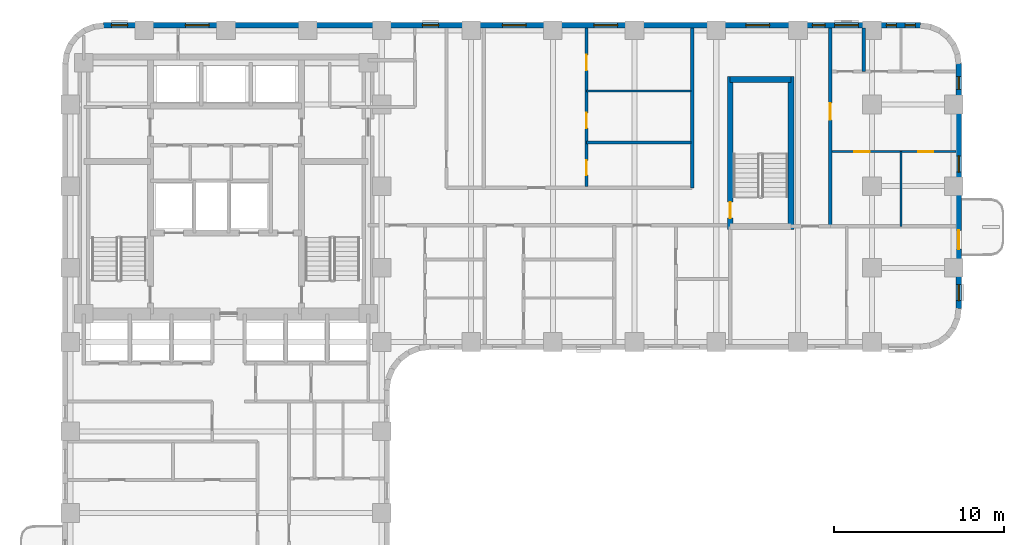
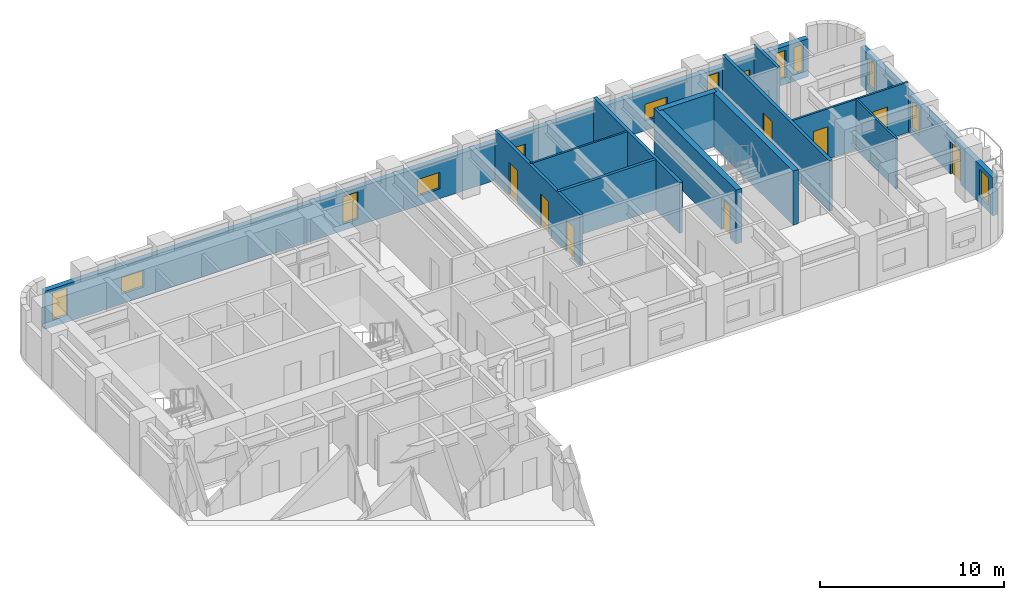
# One storey, part 7 of 11: 13 walls, 13 windows, 8 doors, 21 openings.
"""IFC4 building model written with IfcOpenShell, lengths in metres."""

from ifc_helpers import new_model, si_unit, direction, frame, frame_2d, origin, place, context, subcontext, project, spatial, rectangle, extrude, material, layer, layer_set, type_object, element, fill, save


model = new_model("IFC4")

# Units and contexts
model_context = context("Model", 3, precision=1e-05, world=origin(), true_north=direction((0.0, 1.0)))
body_context = subcontext(model_context, "Body", "Model", "MODEL_VIEW")
ifc_project = project(units=[si_unit("LENGTHUNIT", "METRE"), si_unit("AREAUNIT", "SQUARE_METRE"), si_unit("VOLUMEUNIT", "CUBIC_METRE"), si_unit("PLANEANGLEUNIT", "RADIAN"), si_unit("MASSUNIT", "GRAM", prefix="KILO")], contexts=[model_context])

# Site, building, storey
site_placement = place(None, origin())
site = spatial("IfcSite", under=ifc_project, at=site_placement, CompositionType="ELEMENT")
building_placement = place(site_placement, origin())
building = spatial("IfcBuilding", under=site, at=building_placement, Name="Orvandelia Arch Residences", CompositionType="ELEMENT")
storey_placement = place(building_placement, frame((0.0, 0.0, 50.199951171875)))
storey = spatial("IfcBuildingStorey", under=building, at=storey_placement, Name="L12", CompositionType="ELEMENT", Elevation=50.199951171875)

# Wall, opening, door
ifc_material_1 = material(Name="Concrete C50/60", Category="concrete")
ifc_layer_1 = layer(ifc_material_1, 0.35009765625, Name="Concrete C50/60", Category="concrete")
ifc_layer_set_1 = layer_set([ifc_layer_1], Name="Concrete C50/60")
wall_type_1 = type_object("IfcWallType", Name="WL-CORE-350", PredefinedType="SHEAR", material=ifc_layer_set_1)
wall_1_placement = place(storey_placement, frame((44.02001953125, 35.864990234375, 0.0), z_axis=(0.0, 0.0, 1.0), x_axis=(0.0, 1.0, 0.0)))
wall_1 = element("IfcWall", 1, at=wall_1_placement, inside=storey, type_object=wall_type_1, Name="East Stair Core Shear Wall L12-W", PredefinedType="SHEAR", context=body_context, shape_type="SweptSolid", body=[
    extrude(rectangle(XDim=8.969970703125, YDim=0.35009765625, at=frame_2d((4.48486328125, 0.0))), origin(), (0.0, 0.0, 1.0), 3.60009765625),
])
opening_1_placement = place(wall_1_placement, frame((0.64990234375, 0.0, 0.0)))
opening_1 = element("IfcOpeningElement", 2, at=opening_1_placement, cuts=wall_1, Name="Opening D7", PredefinedType="OPENING", context=body_context, shape_type="SweptSolid", body=[
    extrude(rectangle(XDim=0.949951171875, YDim=2.10009765625, at=frame_2d((0.47509765625, 1.050048828125))), frame((0.0, 0.18505859375, 0.0), z_axis=(0.0, -1.0, 0.0), x_axis=(1.0, 0.0, 0.0)), (0.0, 0.0, 1.0), 0.3701171875),
])
ifc_material_2 = material(Name="Pressurised Stairwell Fire Door")
door_type_1 = type_object("IfcDoorType", Name="DR-STAIR-950", OperationType="NOTDEFINED", PredefinedType="DOOR", material=ifc_material_2)
door_1_placement = place(opening_1_placement, origin())
door_1 = element("IfcDoor", 3, at=door_1_placement, inside=storey, type_object=door_type_1, Name="East Stairwell ST-3 Fire Door L12", OperationType="SINGLE_SWING_LEFT", OverallHeight=2.10009765625, OverallWidth=0.949951171875, PredefinedType="DOOR", context=body_context, shape_type="SweptSolid", body=[
    extrude(rectangle(XDim=0.949951171875, YDim=2.10009765625, at=frame_2d((0.47509765625, 1.050048828125))), frame((0.0, 0.02490234375, 0.0), z_axis=(0.0, -1.0, 0.0), x_axis=(1.0, 0.0, 0.0)), (0.0, 0.0, 1.0), 0.050048828125),
])
fill(opening_1, door_1)

# Walls
wall_2_placement = place(storey_placement, frame((47.60009765625, 35.864990234375, 0.0), z_axis=(0.0, 0.0, 1.0), x_axis=(0.0, 1.0, 0.0)))
element("IfcWall", 4, at=wall_2_placement, inside=storey, type_object=wall_type_1, Name="East Stair Core Shear Wall L12-E", PredefinedType="SHEAR", context=body_context, shape_type="SweptSolid", body=[
    extrude(rectangle(XDim=8.969970703125, YDim=0.35009765625, at=frame_2d((4.48486328125, 0.0))), origin(), (0.0, 0.0, 1.0), 3.60009765625),
])
wall_3_placement = place(storey_placement, frame((44.02001953125, 44.659912109375, 0.0), z_axis=(0.0, 0.0, 1.0), x_axis=(1.0, 0.0, 0.0)))
element("IfcWall", 5, at=wall_3_placement, inside=storey, type_object=wall_type_1, Name="East Stair Core Shear Wall L12-N", PredefinedType="SHEAR", context=body_context, shape_type="SweptSolid", body=[
    extrude(rectangle(XDim=3.580078125, YDim=0.35009765625, at=frame_2d((1.7900390625, 0.0))), origin(), (0.0, 0.0, 1.0), 3.60009765625),
])
ifc_material_3 = material(Name="Fire-Rated Corridor Partition")
ifc_layer_2 = layer(ifc_material_3, 0.199951171875, Name="Fire-Rated Corridor Partition")
ifc_layer_set_2 = layer_set([ifc_layer_2], Name="Fire-Rated Corridor Partition")
wall_type_2 = type_object("IfcWallType", Name="WL-CORR-200", PredefinedType="PARTITIONING", material=ifc_layer_set_2)
wall_4_placement = place(storey_placement, frame((41.780029296875, 38.300048828125, 0.0), z_axis=(0.0, 0.0, 1.0), x_axis=(0.0, 1.0, 0.0)))
element("IfcWall", 6, at=wall_4_placement, inside=storey, type_object=wall_type_2, Name="Interior Partition Wall WL-L12-ETV-W", PredefinedType="PARTITIONING", context=body_context, shape_type="SweptSolid", body=[
    extrude(rectangle(XDim=9.3798828125, YDim=0.199951171875, at=frame_2d((4.68994140625, 0.0))), origin(), (0.0, 0.0, 1.0), 3.35009765625),
])

# Wall, opening, door
wall_5_placement = place(storey_placement, frame((49.89990234375, 36.0400390625, 0.0), z_axis=(0.0, 0.0, 1.0), x_axis=(0.0, 1.0, 0.0)))
wall_5 = element("IfcWall", 7, at=wall_5_placement, inside=storey, type_object=wall_type_2, Name="Interior Partition Wall WL-L12-ETE-E", PredefinedType="PARTITIONING", context=body_context, shape_type="SweptSolid", body=[
    extrude(rectangle(XDim=11.639892578125, YDim=0.199951171875, at=frame_2d((5.81982421875, 0.0))), origin(), (0.0, 0.0, 1.0), 3.35009765625),
])
opening_2_placement = place(wall_5_placement, frame((6.25146484375, 0.0, 0.0)))
opening_2 = element("IfcOpeningElement", 8, at=opening_2_placement, cuts=wall_5, Name="Opening D1", PredefinedType="OPENING", context=body_context, shape_type="SweptSolid", body=[
    extrude(rectangle(XDim=0.97998046875, YDim=2.179931640625, at=frame_2d((0.489990234375, 1.08984375))), frame((0.0, 0.10986328125, 0.0), z_axis=(0.0, -1.0, 0.0), x_axis=(1.0, 0.0, 0.0)), (0.0, 0.0, 1.0), 0.219970703125),
])
ifc_material_4 = material(Name="Solid-Core Timber Acoustic Fire Door", Category="wood")
door_type_2 = type_object("IfcDoorType", Name="DR-ENT-980", OperationType="NOTDEFINED", PredefinedType="DOOR", material=ifc_material_4)
door_2_placement = place(opening_2_placement, origin())
door_2 = element("IfcDoor", 9, at=door_2_placement, inside=storey, type_object=door_type_2, Name="Unit L12-10 Entrance Door", OperationType="SINGLE_SWING_RIGHT", OverallHeight=2.179931640625, OverallWidth=0.97998046875, PredefinedType="DOOR", context=body_context, shape_type="SweptSolid", body=[
    extrude(rectangle(XDim=0.97998046875, YDim=2.179931640625, at=frame_2d((0.489990234375, 1.08984375))), frame((0.0, 0.02490234375, 0.0), z_axis=(0.0, -1.0, 0.0), x_axis=(1.0, 0.0, 0.0)), (0.0, 0.0, 1.0), 0.050048828125),
])
fill(opening_2, door_2)

# Wall, openings, windows
ifc_material_5 = material(Name="Precast concrete C40/50", Category="concrete")
ifc_layer_3 = layer(ifc_material_5, 0.320068359375, Name="Precast concrete C40/50", Category="concrete")
ifc_layer_set_3 = layer_set([ifc_layer_3], Name="Precast concrete C40/50")
wall_type_3 = type_object("IfcWallType", Name="WL-EXT-STONE-320", PredefinedType="STANDARD", material=ifc_layer_set_3)
wall_6_placement = place(storey_placement, frame((7.199951171875, 47.840087890625, 0.0), z_axis=(0.0, 0.0, 1.0), x_axis=(1.0, 0.0, 0.0)))
wall_6 = element("IfcWall", 10, at=wall_6_placement, inside=storey, type_object=wall_type_3, Name="Coral-Limestone Precast Facade Wall L12-007", PredefinedType="STANDARD", context=body_context, shape_type="SweptSolid", body=[
    extrude(rectangle(XDim=48.0, YDim=0.320068359375, at=frame_2d((24.0, 0.0))), origin(), (0.0, 0.0, 1.0), 2.530029296875),
])
opening_3_placement = place(wall_6_placement, frame((28.803466796875, 0.0, 0.64990234375)))
opening_3 = element("IfcOpeningElement", 11, at=opening_3_placement, cuts=wall_6, Name="Opening W10", PredefinedType="OPENING", context=body_context, shape_type="SweptSolid", body=[
    extrude(rectangle(XDim=1.39990234375, YDim=1.10009765625, at=frame_2d((0.699951171875, 0.550048828125))), frame((0.0, 0.169921875, 0.0), z_axis=(0.0, -1.0, 0.0), x_axis=(1.0, 0.0, 0.0)), (0.0, 0.0, 1.0), 0.340087890625),
])
opening_4_placement = place(wall_6_placement, frame((47.093994140625, 0.0, 0.449951171875)))
opening_4 = element("IfcOpeningElement", 12, at=opening_4_placement, cuts=wall_6, Name="Opening W12", PredefinedType="OPENING", context=body_context, shape_type="SweptSolid", body=[
    extrude(rectangle(XDim=0.60009765625, YDim=1.800048828125, at=frame_2d((0.300048828125, 0.89990234375))), frame((0.0, 0.169921875, 0.0), z_axis=(0.0, -1.0, 0.0), x_axis=(1.0, 0.0, 0.0)), (0.0, 0.0, 1.0), 0.340087890625),
])
opening_5_placement = place(wall_6_placement, frame((18.739990234375, 0.0, 0.449951171875)))
opening_5 = element("IfcOpeningElement", 13, at=opening_5_placement, cuts=wall_6, Name="Opening W4", PredefinedType="OPENING", context=body_context, shape_type="SweptSolid", body=[
    extrude(rectangle(XDim=0.949951171875, YDim=1.800048828125, at=frame_2d((0.47509765625, 0.89990234375))), frame((0.0, 0.169921875, 0.0), z_axis=(0.0, -1.0, 0.0), x_axis=(1.0, 0.0, 0.0)), (0.0, 0.0, 1.0), 0.340087890625),
])
opening_6_placement = place(wall_6_placement, frame((41.64990234375, 0.0, 0.449951171875)))
opening_6 = element("IfcOpeningElement", 14, at=opening_6_placement, cuts=wall_6, Name="Opening W11", PredefinedType="OPENING", context=body_context, shape_type="SweptSolid", body=[
    extrude(rectangle(XDim=0.75, YDim=1.800048828125, at=frame_2d((0.375, 0.89990234375))), frame((0.0, 0.169921875, 0.0), z_axis=(0.0, -1.0, 0.0), x_axis=(1.0, 0.0, 0.0)), (0.0, 0.0, 1.0), 0.340087890625),
])
opening_7_placement = place(wall_6_placement, frame((37.736083984375, 0.0, 0.64990234375)))
opening_7 = element("IfcOpeningElement", 15, at=opening_7_placement, cuts=wall_6, Name="Opening W10", PredefinedType="OPENING", context=body_context, shape_type="SweptSolid", body=[
    extrude(rectangle(XDim=1.39990234375, YDim=1.10009765625, at=frame_2d((0.699951171875, 0.550048828125))), frame((0.0, 0.169921875, 0.0), z_axis=(0.0, -1.0, 0.0), x_axis=(1.0, 0.0, 0.0)), (0.0, 0.0, 1.0), 0.340087890625),
])
opening_8_placement = place(wall_6_placement, frame((0.469970703125, 0.0, 0.449951171875)))
opening_8 = element("IfcOpeningElement", 16, at=opening_8_placement, cuts=wall_6, Name="Opening W4", PredefinedType="OPENING", context=body_context, shape_type="SweptSolid", body=[
    extrude(rectangle(XDim=0.949951171875, YDim=1.800048828125, at=frame_2d((0.47509765625, 0.89990234375))), frame((0.0, 0.169921875, 0.0), z_axis=(0.0, -1.0, 0.0), x_axis=(1.0, 0.0, 0.0)), (0.0, 0.0, 1.0), 0.340087890625),
])
opening_9_placement = place(wall_6_placement, frame((4.81494140625, 0.0, 0.64990234375)))
opening_9 = element("IfcOpeningElement", 17, at=opening_9_placement, cuts=wall_6, Name="Opening W10", PredefinedType="OPENING", context=body_context, shape_type="SweptSolid", body=[
    extrude(rectangle(XDim=1.39990234375, YDim=1.10009765625, at=frame_2d((0.699951171875, 0.550048828125))), frame((0.0, 0.169921875, 0.0), z_axis=(0.0, -1.0, 0.0), x_axis=(1.0, 0.0, 0.0)), (0.0, 0.0, 1.0), 0.340087890625),
])
opening_10_placement = place(wall_6_placement, frame((23.429931640625, 0.0, 0.64990234375)))
opening_10 = element("IfcOpeningElement", 18, at=opening_10_placement, cuts=wall_6, Name="Opening W10", PredefinedType="OPENING", context=body_context, shape_type="SweptSolid", body=[
    extrude(rectangle(XDim=1.39990234375, YDim=1.10009765625, at=frame_2d((0.699951171875, 0.550048828125))), frame((0.0, 0.169921875, 0.0), z_axis=(0.0, -1.0, 0.0), x_axis=(1.0, 0.0, 0.0)), (0.0, 0.0, 1.0), 0.340087890625),
])
opening_11_placement = place(wall_6_placement, frame((42.949951171875, 0.0, 0.64990234375)))
opening_11 = element("IfcOpeningElement", 19, at=opening_11_placement, cuts=wall_6, Name="Opening W10", PredefinedType="OPENING", context=body_context, shape_type="SweptSolid", body=[
    extrude(rectangle(XDim=1.39990234375, YDim=1.10009765625, at=frame_2d((0.699951171875, 0.550048828125))), frame((0.0, 0.169921875, 0.0), z_axis=(0.0, -1.0, 0.0), x_axis=(1.0, 0.0, 0.0)), (0.0, 0.0, 1.0), 0.340087890625),
])
opening_12_placement = place(wall_6_placement, frame((45.98388671875, 0.0, 0.449951171875)))
opening_12 = element("IfcOpeningElement", 20, at=opening_12_placement, cuts=wall_6, Name="Opening W12", PredefinedType="OPENING", context=body_context, shape_type="SweptSolid", body=[
    extrude(rectangle(XDim=0.60009765625, YDim=1.800048828125, at=frame_2d((0.300048828125, 0.89990234375))), frame((0.0, 0.169921875, 0.0), z_axis=(0.0, -1.0, 0.0), x_axis=(1.0, 0.0, 0.0)), (0.0, 0.0, 1.0), 0.340087890625),
])
ifc_material_6 = material(Name="Tempered Low-E Insulated Glazing", Category="glass")
window_type_1 = type_object("IfcWindowType", Name="WIN-BED-0750x1800", PartitioningType="SINGLE_PANEL", PredefinedType="WINDOW", material=ifc_material_6)
window_1_placement = place(opening_6_placement, origin())
window_1 = element("IfcWindow", 21, at=window_1_placement, inside=storey, type_object=window_type_1, Name="Recessed Punched Window L12-004", OverallHeight=1.800048828125, OverallWidth=0.75, PartitioningType="SINGLE_PANEL", PredefinedType="WINDOW", context=body_context, shape_type="SweptSolid", body=[
    extrude(rectangle(XDim=0.75, YDim=1.800048828125, at=frame_2d((0.375, 0.89990234375))), frame((0.0, 0.030029296875, 0.0), z_axis=(0.0, -1.0, 0.0), x_axis=(1.0, 0.0, 0.0)), (0.0, 0.0, 1.0), 0.06005859375),
])
fill(opening_6, window_1)
window_type_2 = type_object("IfcWindowType", Name="WIN-CLR-1400x1100", PartitioningType="SINGLE_PANEL", PredefinedType="WINDOW", material=ifc_material_6)
window_2_placement = place(opening_3_placement, origin())
window_2 = element("IfcWindow", 22, at=window_2_placement, inside=storey, type_object=window_type_2, Name="Recessed Punched Window L12-001", OverallHeight=1.10009765625, OverallWidth=1.39990234375, PartitioningType="SINGLE_PANEL", PredefinedType="WINDOW", context=body_context, shape_type="SweptSolid", body=[
    extrude(rectangle(XDim=1.39990234375, YDim=1.10009765625, at=frame_2d((0.699951171875, 0.550048828125))), frame((0.0, 0.030029296875, 0.0), z_axis=(0.0, -1.0, 0.0), x_axis=(1.0, 0.0, 0.0)), (0.0, 0.0, 1.0), 0.06005859375),
])
fill(opening_3, window_2)
window_3_placement = place(opening_7_placement, origin())
window_3 = element("IfcWindow", 23, at=window_3_placement, inside=storey, type_object=window_type_2, Name="Recessed Punched Window L12-005", OverallHeight=1.10009765625, OverallWidth=1.39990234375, PartitioningType="SINGLE_PANEL", PredefinedType="WINDOW", context=body_context, shape_type="SweptSolid", body=[
    extrude(rectangle(XDim=1.39990234375, YDim=1.10009765625, at=frame_2d((0.699951171875, 0.550048828125))), frame((0.0, 0.030029296875, 0.0), z_axis=(0.0, -1.0, 0.0), x_axis=(1.0, 0.0, 0.0)), (0.0, 0.0, 1.0), 0.06005859375),
])
fill(opening_7, window_3)
window_4_placement = place(opening_9_placement, origin())
window_4 = element("IfcWindow", 24, at=window_4_placement, inside=storey, type_object=window_type_2, Name="Recessed Punched Window L12-007", OverallHeight=1.10009765625, OverallWidth=1.39990234375, PartitioningType="SINGLE_PANEL", PredefinedType="WINDOW", context=body_context, shape_type="SweptSolid", body=[
    extrude(rectangle(XDim=1.39990234375, YDim=1.10009765625, at=frame_2d((0.699951171875, 0.550048828125))), frame((0.0, 0.030029296875, 0.0), z_axis=(0.0, -1.0, 0.0), x_axis=(1.0, 0.0, 0.0)), (0.0, 0.0, 1.0), 0.06005859375),
])
fill(opening_9, window_4)
window_5_placement = place(opening_10_placement, origin())
window_5 = element("IfcWindow", 25, at=window_5_placement, inside=storey, type_object=window_type_2, Name="Recessed Punched Window L12-008", OverallHeight=1.10009765625, OverallWidth=1.39990234375, PartitioningType="SINGLE_PANEL", PredefinedType="WINDOW", context=body_context, shape_type="SweptSolid", body=[
    extrude(rectangle(XDim=1.39990234375, YDim=1.10009765625, at=frame_2d((0.699951171875, 0.550048828125))), frame((0.0, 0.030029296875, 0.0), z_axis=(0.0, -1.0, 0.0), x_axis=(1.0, 0.0, 0.0)), (0.0, 0.0, 1.0), 0.06005859375),
])
fill(opening_10, window_5)
window_6_placement = place(opening_11_placement, origin())
window_6 = element("IfcWindow", 26, at=window_6_placement, inside=storey, type_object=window_type_2, Name="Recessed Punched Window L12-009", OverallHeight=1.10009765625, OverallWidth=1.39990234375, PartitioningType="SINGLE_PANEL", PredefinedType="WINDOW", context=body_context, shape_type="SweptSolid", body=[
    extrude(rectangle(XDim=1.39990234375, YDim=1.10009765625, at=frame_2d((0.699951171875, 0.550048828125))), frame((0.0, 0.030029296875, 0.0), z_axis=(0.0, -1.0, 0.0), x_axis=(1.0, 0.0, 0.0)), (0.0, 0.0, 1.0), 0.06005859375),
])
fill(opening_11, window_6)
window_type_3 = type_object("IfcWindowType", Name="WIN-LAN-0600x1800", PartitioningType="SINGLE_PANEL", PredefinedType="WINDOW", material=ifc_material_6)
window_7_placement = place(opening_4_placement, origin())
window_7 = element("IfcWindow", 27, at=window_7_placement, inside=storey, type_object=window_type_3, Name="Recessed Punched Window L12-002", OverallHeight=1.800048828125, OverallWidth=0.60009765625, PartitioningType="SINGLE_PANEL", PredefinedType="WINDOW", context=body_context, shape_type="SweptSolid", body=[
    extrude(rectangle(XDim=0.60009765625, YDim=1.800048828125, at=frame_2d((0.300048828125, 0.89990234375))), frame((0.0, 0.030029296875, 0.0), z_axis=(0.0, -1.0, 0.0), x_axis=(1.0, 0.0, 0.0)), (0.0, 0.0, 1.0), 0.06005859375),
])
fill(opening_4, window_7)
window_8_placement = place(opening_12_placement, origin())
window_8 = element("IfcWindow", 28, at=window_8_placement, inside=storey, type_object=window_type_3, Name="Recessed Punched Window L12-010", OverallHeight=1.800048828125, OverallWidth=0.60009765625, PartitioningType="SINGLE_PANEL", PredefinedType="WINDOW", context=body_context, shape_type="SweptSolid", body=[
    extrude(rectangle(XDim=0.60009765625, YDim=1.800048828125, at=frame_2d((0.300048828125, 0.89990234375))), frame((0.0, 0.030029296875, 0.0), z_axis=(0.0, -1.0, 0.0), x_axis=(1.0, 0.0, 0.0)), (0.0, 0.0, 1.0), 0.06005859375),
])
fill(opening_12, window_8)
window_type_4 = type_object("IfcWindowType", Name="WIN-RES-0950x1800", PartitioningType="SINGLE_PANEL", PredefinedType="WINDOW", material=ifc_material_6)
window_9_placement = place(opening_5_placement, origin())
window_9 = element("IfcWindow", 29, at=window_9_placement, inside=storey, type_object=window_type_4, Name="Recessed Punched Window L12-003", OverallHeight=1.800048828125, OverallWidth=0.949951171875, PartitioningType="SINGLE_PANEL", PredefinedType="WINDOW", context=body_context, shape_type="SweptSolid", body=[
    extrude(rectangle(XDim=0.949951171875, YDim=1.800048828125, at=frame_2d((0.47509765625, 0.89990234375))), frame((0.0, 0.030029296875, 0.0), z_axis=(0.0, -1.0, 0.0), x_axis=(1.0, 0.0, 0.0)), (0.0, 0.0, 1.0), 0.06005859375),
])
fill(opening_5, window_9)
window_10_placement = place(opening_8_placement, origin())
window_10 = element("IfcWindow", 30, at=window_10_placement, inside=storey, type_object=window_type_4, Name="Recessed Punched Window L12-006", OverallHeight=1.800048828125, OverallWidth=0.949951171875, PartitioningType="SINGLE_PANEL", PredefinedType="WINDOW", context=body_context, shape_type="SweptSolid", body=[
    extrude(rectangle(XDim=0.949951171875, YDim=1.800048828125, at=frame_2d((0.47509765625, 0.89990234375))), frame((0.0, 0.030029296875, 0.0), z_axis=(0.0, -1.0, 0.0), x_axis=(1.0, 0.0, 0.0)), (0.0, 0.0, 1.0), 0.06005859375),
])
fill(opening_8, window_10)

# Wall, openings, door, windows
wall_7_placement = place(storey_placement, frame((57.43994140625, 45.60009765625, 0.0), z_axis=(0.0, 0.0, 1.0), x_axis=(0.0, -1.0, 0.0)))
wall_7 = element("IfcWall", 31, at=wall_7_placement, inside=storey, type_object=wall_type_3, Name="Coral-Limestone Precast Facade Wall L12-014", PredefinedType="STANDARD", context=body_context, shape_type="SweptSolid", body=[
    extrude(rectangle(XDim=14.400146484375, YDim=0.320068359375, at=frame_2d((7.2001953125, 0.0))), origin(), (0.0, 0.0, 1.0), 2.530029296875),
])
opening_13_placement = place(wall_7_placement, frame((9.800048828125, 0.0, 0.0)))
opening_13 = element("IfcOpeningElement", 32, at=opening_13_placement, cuts=wall_7, Name="Opening BD1", PredefinedType="OPENING", context=body_context, shape_type="SweptSolid", body=[
    extrude(rectangle(XDim=1.10009765625, YDim=2.14990234375, at=frame_2d((0.550048828125, 1.074951171875))), frame((0.0, 0.169921875, 0.0), z_axis=(0.0, -1.0, 0.0), x_axis=(1.0, 0.0, 0.0)), (0.0, 0.0, 1.0), 0.340087890625),
])
opening_14_placement = place(wall_7_placement, frame((5.427978515625, 0.0, 0.449951171875)))
opening_14 = element("IfcOpeningElement", 33, at=opening_14_placement, cuts=wall_7, Name="Opening W4", PredefinedType="OPENING", context=body_context, shape_type="SweptSolid", body=[
    extrude(rectangle(XDim=0.949951171875, YDim=1.800048828125, at=frame_2d((0.47509765625, 0.89990234375))), frame((0.0, 0.169921875, 0.0), z_axis=(0.0, -1.0, 0.0), x_axis=(1.0, 0.0, 0.0)), (0.0, 0.0, 1.0), 0.340087890625),
])
opening_15_placement = place(wall_7_placement, frame((12.97998046875, 0.0, 0.449951171875)))
opening_15 = element("IfcOpeningElement", 34, at=opening_15_placement, cuts=wall_7, Name="Opening W4", PredefinedType="OPENING", context=body_context, shape_type="SweptSolid", body=[
    extrude(rectangle(XDim=0.949951171875, YDim=1.800048828125, at=frame_2d((0.47509765625, 0.89990234375))), frame((0.0, 0.169921875, 0.0), z_axis=(0.0, -1.0, 0.0), x_axis=(1.0, 0.0, 0.0)), (0.0, 0.0, 1.0), 0.340087890625),
])
opening_16_placement = place(wall_7_placement, frame((0.7705078125, 0.0, 0.449951171875)))
opening_16 = element("IfcOpeningElement", 35, at=opening_16_placement, cuts=wall_7, Name="Opening W11", PredefinedType="OPENING", context=body_context, shape_type="SweptSolid", body=[
    extrude(rectangle(XDim=0.75, YDim=1.800048828125, at=frame_2d((0.375, 0.89990234375))), frame((0.0, 0.169921875, 0.0), z_axis=(0.0, -1.0, 0.0), x_axis=(1.0, 0.0, 0.0)), (0.0, 0.0, 1.0), 0.340087890625),
])
ifc_material_7 = material(Name="Thermally Broken Aluminium Glazed Door", Category="aluminium")
door_type_3 = type_object("IfcDoorType", Name="DR-BAL-GLAZ-1100", OperationType="NOTDEFINED", PredefinedType="DOOR", material=ifc_material_7)
door_3_placement = place(opening_13_placement, origin())
door_3 = element("IfcDoor", 36, at=door_3_placement, inside=storey, type_object=door_type_3, Name="Tree Balcony Glazed Door BAL-L12-E1", OperationType="SINGLE_SWING_LEFT", OverallHeight=2.14990234375, OverallWidth=1.10009765625, PredefinedType="DOOR", context=body_context, shape_type="SweptSolid", body=[
    extrude(rectangle(XDim=1.10009765625, YDim=2.14990234375, at=frame_2d((0.550048828125, 1.074951171875))), frame((0.0, 0.02490234375, 0.0), z_axis=(0.0, -1.0, 0.0), x_axis=(1.0, 0.0, 0.0)), (0.0, 0.0, 1.0), 0.050048828125),
])
fill(opening_13, door_3)
window_11_placement = place(opening_16_placement, origin())
window_11 = element("IfcWindow", 37, at=window_11_placement, inside=storey, type_object=window_type_1, Name="Recessed Punched Window L12-013", OverallHeight=1.800048828125, OverallWidth=0.75, PartitioningType="SINGLE_PANEL", PredefinedType="WINDOW", context=body_context, shape_type="SweptSolid", body=[
    extrude(rectangle(XDim=0.75, YDim=1.800048828125, at=frame_2d((0.375, 0.89990234375))), frame((0.0, 0.030029296875, 0.0), z_axis=(0.0, -1.0, 0.0), x_axis=(1.0, 0.0, 0.0)), (0.0, 0.0, 1.0), 0.06005859375),
])
fill(opening_16, window_11)
window_12_placement = place(opening_14_placement, origin())
window_12 = element("IfcWindow", 38, at=window_12_placement, inside=storey, type_object=window_type_4, Name="Recessed Punched Window L12-011", OverallHeight=1.800048828125, OverallWidth=0.949951171875, PartitioningType="SINGLE_PANEL", PredefinedType="WINDOW", context=body_context, shape_type="SweptSolid", body=[
    extrude(rectangle(XDim=0.949951171875, YDim=1.800048828125, at=frame_2d((0.47509765625, 0.89990234375))), frame((0.0, 0.030029296875, 0.0), z_axis=(0.0, -1.0, 0.0), x_axis=(1.0, 0.0, 0.0)), (0.0, 0.0, 1.0), 0.06005859375),
])
fill(opening_14, window_12)
window_13_placement = place(opening_15_placement, origin())
window_13 = element("IfcWindow", 39, at=window_13_placement, inside=storey, type_object=window_type_4, Name="Recessed Punched Window L12-012", OverallHeight=1.800048828125, OverallWidth=0.949951171875, PartitioningType="SINGLE_PANEL", PredefinedType="WINDOW", context=body_context, shape_type="SweptSolid", body=[
    extrude(rectangle(XDim=0.949951171875, YDim=1.800048828125, at=frame_2d((0.47509765625, 0.89990234375))), frame((0.0, 0.030029296875, 0.0), z_axis=(0.0, -1.0, 0.0), x_axis=(1.0, 0.0, 0.0)), (0.0, 0.0, 1.0), 0.06005859375),
])
fill(opening_15, window_13)

# Wall
ifc_material_8 = material(Name="Lightweight Gypsum Stud Partition")
ifc_layer_4 = layer(ifc_material_8, 0.1201171875, Name="Lightweight Gypsum Stud Partition")
ifc_layer_set_4 = layer_set([ifc_layer_4], Name="Lightweight Gypsum Stud Partition")
wall_type_4 = type_object("IfcWallType", Name="WL-PART-120", PredefinedType="PARTITIONING", material=ifc_layer_set_4)
wall_8_placement = place(storey_placement, frame((35.576904296875, 43.99609375, 0.0), z_axis=(0.0, 0.0, 1.0), x_axis=(1.0, 0.0, 0.0)))
element("IfcWall", 40, at=wall_8_placement, inside=storey, type_object=wall_type_4, Name="Interior Partition Wall WL-L12-U09-H2", PredefinedType="PARTITIONING", context=body_context, shape_type="SweptSolid", body=[
    extrude(rectangle(XDim=6.123046875, YDim=0.1201171875, at=frame_2d((3.0615234375, 0.0))), origin(), (0.0, 0.0, 1.0), 3.35009765625),
])

# Wall, openings, doors
wall_9_placement = place(storey_placement, frame((50.0, 40.424072265625, 0.0), z_axis=(0.0, 0.0, 1.0), x_axis=(1.0, 0.0, 0.0)))
wall_9 = element("IfcWall", 41, at=wall_9_placement, inside=storey, type_object=wall_type_4, Name="Interior Partition Wall WL-L12-U10-HB", PredefinedType="PARTITIONING", context=body_context, shape_type="SweptSolid", body=[
    extrude(rectangle(XDim=7.280029296875, YDim=0.1201171875, at=frame_2d((3.64013671875, 0.0))), origin(), (0.0, 0.0, 1.0), 3.35009765625),
])
opening_17_placement = place(wall_9_placement, frame((1.30419921875, 0.0, 0.0)))
opening_17 = element("IfcOpeningElement", 42, at=opening_17_placement, cuts=wall_9, Name="Opening D3", PredefinedType="OPENING", context=body_context, shape_type="SweptSolid", body=[
    extrude(rectangle(XDim=0.89990234375, YDim=2.14990234375, at=frame_2d((0.449951171875, 1.074951171875))), frame((0.0, 0.070068359375, 0.0), z_axis=(0.0, -1.0, 0.0), x_axis=(1.0, 0.0, 0.0)), (0.0, 0.0, 1.0), 0.14013671875),
])
opening_18_placement = place(wall_9_placement, frame((5.056884765625, 0.0, 0.0)))
opening_18 = element("IfcOpeningElement", 43, at=opening_18_placement, cuts=wall_9, Name="Opening D3", PredefinedType="OPENING", context=body_context, shape_type="SweptSolid", body=[
    extrude(rectangle(XDim=0.89990234375, YDim=2.14990234375, at=frame_2d((0.449951171875, 1.074951171875))), frame((0.0, 0.070068359375, 0.0), z_axis=(0.0, -1.0, 0.0), x_axis=(1.0, 0.0, 0.0)), (0.0, 0.0, 1.0), 0.14013671875),
])
ifc_material_9 = material(Name="Engineered Timber Flush Door", Category="wood")
door_type_4 = type_object("IfcDoorType", Name="DR-INT-900", OperationType="NOTDEFINED", PredefinedType="DOOR", material=ifc_material_9)
door_4_placement = place(opening_17_placement, origin())
door_4 = element("IfcDoor", 44, at=door_4_placement, inside=storey, type_object=door_type_4, Name="DR-L12-U10-STDY", OperationType="SINGLE_SWING_RIGHT", OverallHeight=2.14990234375, OverallWidth=0.89990234375, PredefinedType="DOOR", context=body_context, shape_type="SweptSolid", body=[
    extrude(rectangle(XDim=0.89990234375, YDim=2.14990234375, at=frame_2d((0.449951171875, 1.074951171875))), frame((0.0, 0.02490234375, 0.0), z_axis=(0.0, -1.0, 0.0), x_axis=(1.0, 0.0, 0.0)), (0.0, 0.0, 1.0), 0.050048828125),
])
fill(opening_17, door_4)
door_5_placement = place(opening_18_placement, origin())
door_5 = element("IfcDoor", 45, at=door_5_placement, inside=storey, type_object=door_type_4, Name="DR-L12-U10-BD2", OperationType="SINGLE_SWING_LEFT", OverallHeight=2.14990234375, OverallWidth=0.89990234375, PredefinedType="DOOR", context=body_context, shape_type="SweptSolid", body=[
    extrude(rectangle(XDim=0.89990234375, YDim=2.14990234375, at=frame_2d((0.449951171875, 1.074951171875))), frame((0.0, 0.02490234375, 0.0), z_axis=(0.0, -1.0, 0.0), x_axis=(1.0, 0.0, 0.0)), (0.0, 0.0, 1.0), 0.050048828125),
])
fill(opening_18, door_5)

# Wall
wall_10_placement = place(storey_placement, frame((54.048095703125, 36.0400390625, 0.0), z_axis=(0.0, 0.0, 1.0), x_axis=(0.0, 1.0, 0.0)))
element("IfcWall", 46, at=wall_10_placement, inside=storey, type_object=wall_type_4, Name="Interior Partition Wall WL-L12-U10-VB", PredefinedType="PARTITIONING", context=body_context, shape_type="SweptSolid", body=[
    extrude(rectangle(XDim=4.384033203125, YDim=0.1201171875, at=frame_2d((2.19189453125, 0.0))), origin(), (0.0, 0.0, 1.0), 3.35009765625),
])

# Wall, openings, doors
ifc_material_10 = material(Name="Moisture-Resistant Plumbing Wall")
ifc_layer_5 = layer(ifc_material_10, 0.179931640625, Name="Moisture-Resistant Plumbing Wall")
ifc_layer_set_5 = layer_set([ifc_layer_5], Name="Moisture-Resistant Plumbing Wall")
wall_type_5 = type_object("IfcWallType", Name="WL-WET-180", PredefinedType="PLUMBINGWALL", material=ifc_layer_set_5)
wall_11_placement = place(storey_placement, frame((35.576904296875, 38.3798828125, 0.0), z_axis=(0.0, 0.0, 1.0), x_axis=(0.0, 1.0, 0.0)))
wall_11 = element("IfcWall", 47, at=wall_11_placement, inside=storey, type_object=wall_type_5, Name="Interior Partition Wall WL-L12-U09-VT", PredefinedType="PLUMBINGWALL", context=body_context, shape_type="SweptSolid", body=[
    extrude(rectangle(XDim=9.300048828125, YDim=0.179931640625, at=frame_2d((4.64990234375, 0.0))), origin(), (0.0, 0.0, 1.0), 3.35009765625),
])
opening_19_placement = place(wall_11_placement, frame((0.66748046875, 0.0, 0.0)))
opening_19 = element("IfcOpeningElement", 48, at=opening_19_placement, cuts=wall_11, Name="Opening D4", PredefinedType="OPENING", context=body_context, shape_type="SweptSolid", body=[
    extrude(rectangle(XDim=0.860107421875, YDim=2.10009765625, at=frame_2d((0.43017578125, 1.050048828125))), frame((0.0, 0.10009765625, 0.0), z_axis=(0.0, -1.0, 0.0), x_axis=(1.0, 0.0, 0.0)), (0.0, 0.0, 1.0), 0.199951171875),
])
opening_20_placement = place(wall_11_placement, frame((3.430419921875, 0.0, 0.0)))
opening_20 = element("IfcOpeningElement", 49, at=opening_20_placement, cuts=wall_11, Name="Opening D3", PredefinedType="OPENING", context=body_context, shape_type="SweptSolid", body=[
    extrude(rectangle(XDim=0.89990234375, YDim=2.14990234375, at=frame_2d((0.449951171875, 1.074951171875))), frame((0.0, 0.10009765625, 0.0), z_axis=(0.0, -1.0, 0.0), x_axis=(1.0, 0.0, 0.0)), (0.0, 0.0, 1.0), 0.199951171875),
])
opening_21_placement = place(wall_11_placement, frame((6.828369140625, 0.0, 0.0)))
opening_21 = element("IfcOpeningElement", 50, at=opening_21_placement, cuts=wall_11, Name="Opening D3", PredefinedType="OPENING", context=body_context, shape_type="SweptSolid", body=[
    extrude(rectangle(XDim=0.89990234375, YDim=2.14990234375, at=frame_2d((0.449951171875, 1.074951171875))), frame((0.0, 0.10009765625, 0.0), z_axis=(0.0, -1.0, 0.0), x_axis=(1.0, 0.0, 0.0)), (0.0, 0.0, 1.0), 0.199951171875),
])
door_6_placement = place(opening_20_placement, origin())
door_6 = element("IfcDoor", 51, at=door_6_placement, inside=storey, type_object=door_type_4, Name="DR-L12-U09-KIT", OperationType="SINGLE_SWING_LEFT", OverallHeight=2.14990234375, OverallWidth=0.89990234375, PredefinedType="DOOR", context=body_context, shape_type="SweptSolid", body=[
    extrude(rectangle(XDim=0.89990234375, YDim=2.14990234375, at=frame_2d((0.449951171875, 1.074951171875))), frame((0.0, 0.02490234375, 0.0), z_axis=(0.0, -1.0, 0.0), x_axis=(1.0, 0.0, 0.0)), (0.0, 0.0, 1.0), 0.050048828125),
])
fill(opening_20, door_6)
door_7_placement = place(opening_21_placement, origin())
door_7 = element("IfcDoor", 52, at=door_7_placement, inside=storey, type_object=door_type_4, Name="DR-L12-U09-BD1", OperationType="SINGLE_SWING_RIGHT", OverallHeight=2.14990234375, OverallWidth=0.89990234375, PredefinedType="DOOR", context=body_context, shape_type="SweptSolid", body=[
    extrude(rectangle(XDim=0.89990234375, YDim=2.14990234375, at=frame_2d((0.449951171875, 1.074951171875))), frame((0.0, 0.02490234375, 0.0), z_axis=(0.0, -1.0, 0.0), x_axis=(1.0, 0.0, 0.0)), (0.0, 0.0, 1.0), 0.050048828125),
])
fill(opening_21, door_7)
ifc_material_11 = material(Name="Moisture-Sealed Timber Bathroom Door", Category="wood")
door_type_5 = type_object("IfcDoorType", Name="DR-WET-900", OperationType="NOTDEFINED", PredefinedType="DOOR", material=ifc_material_11)
door_8_placement = place(opening_19_placement, origin())
door_8 = element("IfcDoor", 53, at=door_8_placement, inside=storey, type_object=door_type_5, Name="DR-L12-U09-BTH", OperationType="SINGLE_SWING_RIGHT", OverallHeight=2.10009765625, OverallWidth=0.860107421875, PredefinedType="DOOR", context=body_context, shape_type="SweptSolid", body=[
    extrude(rectangle(XDim=0.860107421875, YDim=2.10009765625, at=frame_2d((0.43017578125, 1.050048828125))), frame((0.0, 0.02490234375, 0.0), z_axis=(0.0, -1.0, 0.0), x_axis=(1.0, 0.0, 0.0)), (0.0, 0.0, 1.0), 0.050048828125),
])
fill(opening_19, door_8)

# Walls
wall_12_placement = place(storey_placement, frame((35.576904296875, 40.962890625, 0.0), z_axis=(0.0, 0.0, 1.0), x_axis=(1.0, 0.0, 0.0)))
element("IfcWall", 54, at=wall_12_placement, inside=storey, type_object=wall_type_5, Name="Interior Partition Wall WL-L12-U09-H1", PredefinedType="PLUMBINGWALL", context=body_context, shape_type="SweptSolid", body=[
    extrude(rectangle(XDim=6.123046875, YDim=0.179931640625, at=frame_2d((3.0615234375, 0.0))), origin(), (0.0, 0.0, 1.0), 3.35009765625),
])
wall_13_placement = place(storey_placement, frame((51.862060546875, 45.138916015625, 0.0), z_axis=(0.0, 0.0, 1.0), x_axis=(0.0, 1.0, 0.0)))
element("IfcWall", 55, at=wall_13_placement, inside=storey, type_object=wall_type_5, Name="Interior Partition Wall WL-L12-U10-V1", PredefinedType="PLUMBINGWALL", context=body_context, shape_type="SweptSolid", body=[
    extrude(rectangle(XDim=2.541015625, YDim=0.179931640625, at=frame_2d((1.2705078125, 0.0))), origin(), (0.0, 0.0, 1.0), 3.35009765625),
])

save(model, "model.ifc")
